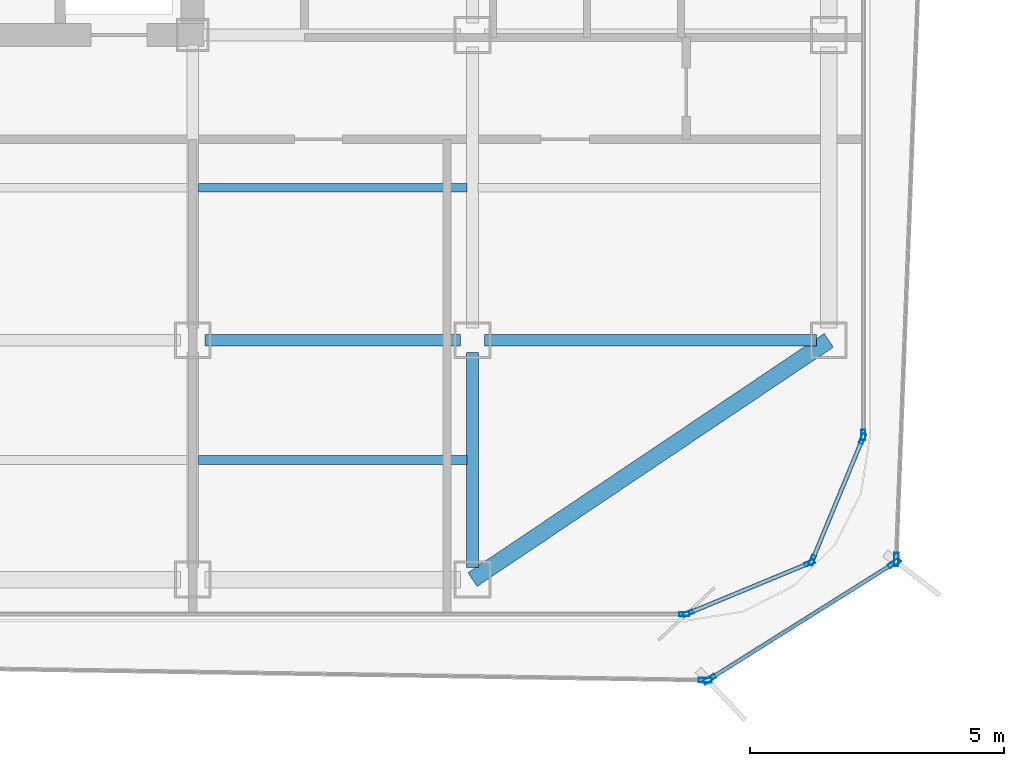
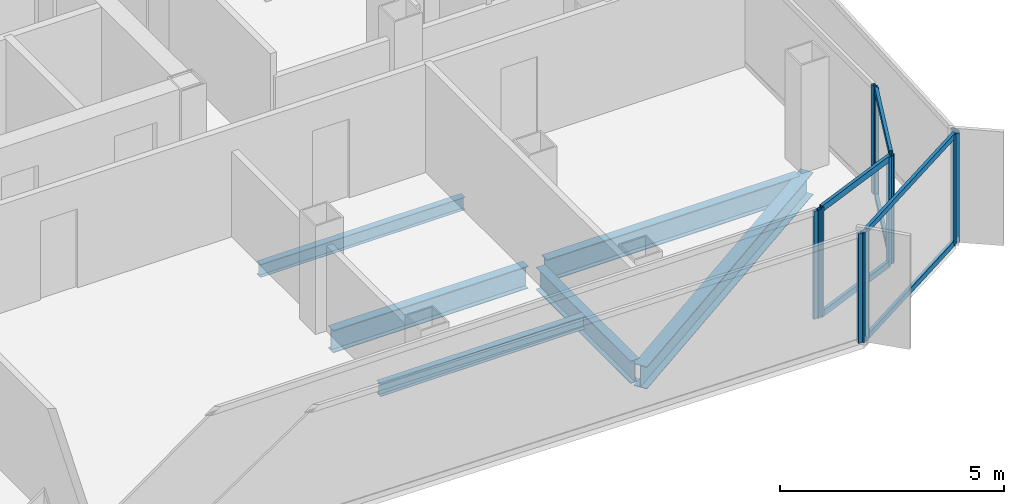
# One storey, part 4 of 15: 16 members, 6 beams, 7 elements without a shape of their own.
"""IFC4 building model written with IfcOpenShell, lengths in metres."""

from ifc_helpers import new_model, si_unit, direction, frame, origin, origin_2d, place, context, subcontext, project, spatial, hollow_rectangle, i_section, extrude, source, transform, mapped, material, layer, layer_set, material_profile, profile_set, type_object, element, aggregate, save


model = new_model("IFC4")

# Units and contexts
model_context = context("Model", 3, precision=1e-05, world=origin(), true_north=direction((0.0, 1.0)))
body_context = subcontext(model_context, "Body", "Model", "MODEL_VIEW")
ifc_project = project(units=[si_unit("LENGTHUNIT", "METRE"), si_unit("AREAUNIT", "SQUARE_METRE"), si_unit("VOLUMEUNIT", "CUBIC_METRE"), si_unit("PLANEANGLEUNIT", "RADIAN"), si_unit("MASSUNIT", "GRAM", prefix="KILO")], contexts=[model_context])

# Site, building, storey
site_placement = place(None, origin())
site = spatial("IfcSite", under=ifc_project, at=site_placement, CompositionType="ELEMENT")
building_placement = place(site_placement, origin())
building = spatial("IfcBuilding", under=site, at=building_placement, Name="Kolveth Station Tower", CompositionType="ELEMENT")
storey_placement = place(building_placement, frame((0.0, 0.0, 172.10009765625)))
storey = spatial("IfcBuildingStorey", under=building, at=storey_placement, Name="L48", CompositionType="ELEMENT", Elevation=172.10009765625)

# Beams
ifc_material_1 = material(Name="Steel S355", Category="steel")
ifc_material_profile_1 = material_profile(ifc_material_1, i_section(OverallWidth=0.323974609375, OverallDepth=0.611083984375, WebThickness=0.0126953125, FlangeThickness=0.01904296875, at=origin_2d()), Name="W610x155")
ifc_profile_set_1 = profile_set([ifc_material_profile_1], Name="Steel S355")
beam_type_1 = type_object("IfcBeamType", Name="Beam_SP2", PredefinedType="SPANDREL", material=ifc_profile_set_1)
shared_shape_1 = source(origin(), body_context, "Body", "SweptSolid", [
    extrude(i_section(OverallWidth=0.323974609375, OverallDepth=0.611083984375, WebThickness=0.0126953125, FlangeThickness=0.01904296875, at=origin_2d()), origin(), (0.0, 0.0, 1.0), 8.431396484375),
])
beam_1_placement = place(storey_placement, frame((34.0, 0.800048828125, -0.5556640625), z_axis=(0.830223811004, 0.557430196206, 0.0), x_axis=(-0.557430196206, 0.830223811004, 0.0)))
element("IfcBeam", 1, at=beam_1_placement, inside=storey, type_object=beam_type_1, Name="L48 Corner Edge Girder BM-L48-CNR-SE", PredefinedType="SPANDREL", context=body_context, shape_type="MappedRepresentation", body=[
    mapped(shared_shape_1, transform((0.0, 0.0, 0.0), x_axis=(1.0, 0.0, 0.0), y_axis=(0.0, 1.0, 0.0), z_axis=(0.0, 0.0, 1.0), scale=1.0)),
])
ifc_material_profile_2 = material_profile(ifc_material_1, i_section(OverallWidth=0.22900390625, OverallDepth=0.612060546875, WebThickness=0.011962890625, FlangeThickness=0.01953125, at=origin_2d()), Name="W610x125")
ifc_profile_set_2 = profile_set([ifc_material_profile_2], Name="Steel S355")
beam_type_2 = type_object("IfcBeamType", Name="Beam_B5", PredefinedType="BEAM", material=ifc_profile_set_2)
shared_shape_2 = source(origin(), body_context, "Body", "SweptSolid", [
    extrude(i_section(OverallWidth=0.22900390625, OverallDepth=0.612060546875, WebThickness=0.011962890625, FlangeThickness=0.01953125, at=origin_2d()), origin(), (0.0, 0.0, 1.0), 6.52001953125),
])
beam_2_placement = place(storey_placement, frame((34.239990234375, 5.5, -0.55615234375), z_axis=(1.0, 0.0, 0.0), x_axis=(0.0, 1.0, 0.0)))
element("IfcBeam", 2, at=beam_2_placement, inside=storey, type_object=beam_type_2, Name="L48 Primary Girder BM-L48-GY55-6", PredefinedType="BEAM", context=body_context, shape_type="MappedRepresentation", body=[
    mapped(shared_shape_2, transform((0.0, 0.0, 0.0), x_axis=(1.0, 0.0, 0.0), y_axis=(0.0, 1.0, 0.0), z_axis=(0.0, 0.0, 1.0), scale=1.0)),
])
shared_shape_3 = source(origin(), body_context, "Body", "SweptSolid", [
    extrude(i_section(OverallWidth=0.22900390625, OverallDepth=0.612060546875, WebThickness=0.011962890625, FlangeThickness=0.01953125, at=origin_2d()), origin(), (0.0, 0.0, 1.0), 5.02001953125),
])
beam_3_placement = place(storey_placement, frame((28.739990234375, 5.5, -0.55615234375), z_axis=(1.0, 0.0, 0.0), x_axis=(0.0, 1.0, 0.0)))
element("IfcBeam", 3, at=beam_3_placement, inside=storey, type_object=beam_type_2, Name="L48 Primary Girder BM-L48-GY55-5", PredefinedType="BEAM", context=body_context, shape_type="MappedRepresentation", body=[
    mapped(shared_shape_3, transform((0.0, 0.0, 0.0), x_axis=(1.0, 0.0, 0.0), y_axis=(0.0, 1.0, 0.0), z_axis=(0.0, 0.0, 1.0), scale=1.0)),
])
shared_shape_4 = source(origin(), body_context, "Body", "SweptSolid", [
    extrude(i_section(OverallWidth=0.22900390625, OverallDepth=0.612060546875, WebThickness=0.011962890625, FlangeThickness=0.01953125, at=origin_2d()), origin(), (0.0, 0.0, 1.0), 4.219970703125),
])
beam_4_placement = place(storey_placement, frame((34.0, 1.0400390625, -0.55615234375), z_axis=(0.0, 1.0, 0.0), x_axis=(-1.0, 0.0, 0.0)))
element("IfcBeam", 4, at=beam_4_placement, inside=storey, type_object=beam_type_2, Name="L48 Primary Girder BM-L48-GX340-1", PredefinedType="BEAM", context=body_context, shape_type="MappedRepresentation", body=[
    mapped(shared_shape_4, transform((0.0, 0.0, 0.0), x_axis=(1.0, 0.0, 0.0), y_axis=(0.0, 1.0, 0.0), z_axis=(0.0, 0.0, 1.0), scale=1.0)),
])
ifc_material_profile_3 = material_profile(ifc_material_1, i_section(OverallWidth=0.1708984375, OverallDepth=0.35205078125, WebThickness=0.0068359375, FlangeThickness=0.009765625, at=origin_2d()), Name="W360x44")
ifc_profile_set_3 = profile_set([ifc_material_profile_3], Name="Steel S355")
beam_type_3 = type_object("IfcBeamType", Name="Beam_J2", PredefinedType="JOIST", material=ifc_profile_set_3)
shared_shape_5 = source(origin(), body_context, "Body", "SweptSolid", [
    extrude(i_section(OverallWidth=0.1708984375, OverallDepth=0.35205078125, WebThickness=0.0068359375, FlangeThickness=0.009765625, at=origin_2d()), origin(), (0.0, 0.0, 1.0), 5.27490234375),
])
for number, where, z_axis, x_axis, name in (
    (5, (28.612548828125, 3.14990234375, -0.426025390625), (1.0, 0.0, 0.0), (0.0, 1.0, 0.0), "L48 Secondary Joist JST-L48-5-1"),
    (6, (28.612548828125, 8.5, -0.426025390625), (1.0, 0.0, 0.0), (0.0, 1.0, 0.0), "L48 Secondary Joist JST-L48-5-2"),
):
    element("IfcBeam", number, at=place(storey_placement, frame(where, z_axis=z_axis, x_axis=x_axis)), inside=storey, type_object=beam_type_3, Name=name, PredefinedType="JOIST", context=body_context, shape_type="MappedRepresentation", body=[
        mapped(shared_shape_5, transform((0.0, 0.0, 0.0), x_axis=(1.0, 0.0, 0.0), y_axis=(0.0, 1.0, 0.0), z_axis=(0.0, 0.0, 1.0), scale=1.0)),
    ])

# Curtain wall, members
ifc_material_2 = material(Name="Aluminium 6063-T6 and low-E dark glass", Category="aluminium")
ifc_layer_1 = layer(ifc_material_2, 0.18994140625)
ifc_layer_set_1 = layer_set([ifc_layer_1], Name="Aluminium 6063-T6 and low-E dark glass")
curtain_wall_type_1 = type_object("IfcCurtainWallType", Name="CurtainWall_CW-Z2", PredefinedType="NOTDEFINED", material=ifc_layer_set_1)
curtain_wall_1_placement = place(storey_placement, origin())
curtain_wall_1 = element("IfcCurtainWall", 7, at=curtain_wall_1_placement, inside=storey, type_object=curtain_wall_type_1, Name="L48 Inner Thermal Curtain Wall 1", PredefinedType="NOTDEFINED")
ifc_material_3 = material(Name="Black anodized aluminium 6063-T6", Category="aluminium")
ifc_material_profile_4 = material_profile(ifc_material_3, hollow_rectangle(XDim=0.080078125, YDim=0.199951171875, WallThickness=0.0048828125, at=origin_2d()), Name="ALU-80x200x5")
ifc_profile_set_4 = profile_set([ifc_material_profile_4], Name="Black anodized aluminium 6063-T6")
member_type_1 = type_object("IfcMemberType", Name="Mullion_ML2", PredefinedType="MULLION", material=ifc_profile_set_4)
shared_shape_6 = source(origin(), body_context, "Body", "SweptSolid", [
    extrude(hollow_rectangle(XDim=0.080078125, YDim=0.199951171875, WallThickness=0.0048828125, at=origin_2d()), origin(), (0.0, 0.0, 1.0), 2.949951171875),
])
member_1_placement = place(storey_placement, frame((38.237060546875, 0.13525390625, 0.0), z_axis=(0.0, 0.0, 1.0), x_axis=(-0.382697753087, 0.923873600544, 0.0)))
member_1 = element("IfcMember", 8, at=member_1_placement, type_object=member_type_1, Name="CW-Z2 mullion 1", PredefinedType="MULLION", context=body_context, shape_type="MappedRepresentation", body=[
    mapped(shared_shape_6, transform((0.0, 0.0, 0.0), x_axis=(1.0, 0.0, 0.0), y_axis=(0.0, 1.0, 0.0), z_axis=(0.0, 0.0, 1.0), scale=1.0)),
])
member_2_placement = place(storey_placement, frame((40.623779296875, 1.1240234375, 0.0), z_axis=(0.0, 0.0, 1.0), x_axis=(-0.382697753087, 0.923873600544, 0.0)))
member_2 = element("IfcMember", 9, at=member_2_placement, type_object=member_type_1, Name="CW-Z2 mullion 2", PredefinedType="MULLION", context=body_context, shape_type="MappedRepresentation", body=[
    mapped(shared_shape_6, transform((0.0, 0.0, 0.0), x_axis=(1.0, 0.0, 0.0), y_axis=(0.0, 1.0, 0.0), z_axis=(0.0, 0.0, 1.0), scale=1.0)),
])

curtain_wall_2_placement = place(storey_placement, origin())
curtain_wall_2 = element("IfcCurtainWall", 10, at=curtain_wall_2_placement, inside=storey, type_object=curtain_wall_type_1, Name="L48 Inner Thermal Curtain Wall 2", PredefinedType="NOTDEFINED")
member_3_placement = place(storey_placement, frame((40.676025390625, 1.17626953125, 0.0), z_axis=(0.0, 0.0, 1.0), x_axis=(-0.923873600544, 0.382697753087, 0.0)))
member_3 = element("IfcMember", 11, at=member_3_placement, type_object=member_type_1, Name="CW-Z2 mullion 1", PredefinedType="MULLION", context=body_context, shape_type="MappedRepresentation", body=[
    mapped(shared_shape_6, transform((0.0, 0.0, 0.0), x_axis=(1.0, 0.0, 0.0), y_axis=(0.0, 1.0, 0.0), z_axis=(0.0, 0.0, 1.0), scale=1.0)),
])
member_4_placement = place(storey_placement, frame((41.664794921875, 3.56298828125, 0.0), z_axis=(0.0, 0.0, 1.0), x_axis=(-0.923873600544, 0.382697753087, 0.0)))
member_4 = element("IfcMember", 12, at=member_4_placement, type_object=member_type_1, Name="CW-Z2 mullion 2", PredefinedType="MULLION", context=body_context, shape_type="MappedRepresentation", body=[
    mapped(shared_shape_6, transform((0.0, 0.0, 0.0), x_axis=(1.0, 0.0, 0.0), y_axis=(0.0, 1.0, 0.0), z_axis=(0.0, 0.0, 1.0), scale=1.0)),
])

# Curtain wall, member
curtain_wall_3_placement = place(storey_placement, origin())
curtain_wall_3 = element("IfcCurtainWall", 13, at=curtain_wall_3_placement, inside=storey, type_object=curtain_wall_type_1, Name="L48 Inner Thermal Curtain Wall 3", PredefinedType="NOTDEFINED")
member_5_placement = place(storey_placement, frame((41.679931640625, 3.639892578125, 0.0), z_axis=(0.0, 0.0, 1.0), x_axis=(-1.0, 0.0, 0.0)))
member_5 = element("IfcMember", 14, at=member_5_placement, type_object=member_type_1, Name="CW-Z2 mullion 1", PredefinedType="MULLION", context=body_context, shape_type="MappedRepresentation", body=[
    mapped(shared_shape_6, transform((0.0, 0.0, 0.0), x_axis=(1.0, 0.0, 0.0), y_axis=(0.0, 1.0, 0.0), z_axis=(0.0, 0.0, 1.0), scale=1.0)),
])
aggregate(curtain_wall_3, [member_5])

curtain_wall_4_placement = place(storey_placement, origin())
curtain_wall_4 = element("IfcCurtainWall", 15, at=curtain_wall_4_placement, inside=storey, type_object=curtain_wall_type_1, Name="L48 Inner Thermal Curtain Wall 12", PredefinedType="NOTDEFINED")
member_6_placement = place(storey_placement, frame((38.159912109375, 0.1201171875, 0.0), z_axis=(0.0, 0.0, 1.0), x_axis=(0.0, 1.0, 0.0)))
member_6 = element("IfcMember", 16, at=member_6_placement, type_object=member_type_1, Name="CW-Z2 mullion 2", PredefinedType="MULLION", context=body_context, shape_type="MappedRepresentation", body=[
    mapped(shared_shape_6, transform((0.0, 0.0, 0.0), x_axis=(1.0, 0.0, 0.0), y_axis=(0.0, 1.0, 0.0), z_axis=(0.0, 0.0, 1.0), scale=1.0)),
])
aggregate(curtain_wall_4, [member_6])

# Curtain wall, members
ifc_material_4 = material(Name="Black anodized aluminium 6063-T6 and dark solar glass", Category="aluminium")
ifc_layer_2 = layer(ifc_material_4, 0.159912109375)
ifc_layer_set_2 = layer_set([ifc_layer_2], Name="Black anodized aluminium 6063-T6 and dark solar glass")
curtain_wall_type_2 = type_object("IfcCurtainWallType", Name="OUTER SKIN CW-OS", PredefinedType="NOTDEFINED", material=ifc_layer_set_2)
curtain_wall_5_placement = place(storey_placement, origin())
curtain_wall_5 = element("IfcCurtainWall", 17, at=curtain_wall_5_placement, inside=storey, type_object=curtain_wall_type_2, Name="L48 Outer Ventilated Skin Curtain Wall 1", PredefinedType="NOTDEFINED")
ifc_material_profile_5 = material_profile(ifc_material_3, hollow_rectangle(XDim=0.090087890625, YDim=0.260009765625, WallThickness=0.0048828125, at=origin_2d()), Name="ALU-90x260x5")
ifc_profile_set_5 = profile_set([ifc_material_profile_5], Name="Black anodized aluminium 6063-T6")
member_type_2 = type_object("IfcMemberType", Name="FIN MULLION ML-OS", PredefinedType="MULLION", material=ifc_profile_set_5)
shared_shape_7 = source(origin(), body_context, "Body", "SweptSolid", [
    extrude(hollow_rectangle(XDim=0.090087890625, YDim=0.260009765625, WallThickness=0.0048828125, at=origin_2d()), origin(), (0.0, 0.0, 1.0), 2.989990234375),
])
member_7_placement = place(storey_placement, frame((38.65869140625, -1.15625, 0.0), z_axis=(0.0, 0.0, 1.0), x_axis=(-0.531927775686, 0.846789726823, 0.0)))
member_7 = element("IfcMember", 18, at=member_7_placement, type_object=member_type_2, Name="CW-OS mullion 1", PredefinedType="MULLION", context=body_context, shape_type="MappedRepresentation", body=[
    mapped(shared_shape_7, transform((0.0, 0.0, 0.0), x_axis=(1.0, 0.0, 0.0), y_axis=(0.0, 1.0, 0.0), z_axis=(0.0, 0.0, 1.0), scale=1.0)),
])
member_8_placement = place(storey_placement, frame((42.289306640625, 1.124267578125, 0.0), z_axis=(0.0, 0.0, 1.0), x_axis=(-0.531927775686, 0.846789726823, 0.0)))
member_8 = element("IfcMember", 19, at=member_8_placement, type_object=member_type_2, Name="CW-OS mullion 2", PredefinedType="MULLION", context=body_context, shape_type="MappedRepresentation", body=[
    mapped(shared_shape_7, transform((0.0, 0.0, 0.0), x_axis=(1.0, 0.0, 0.0), y_axis=(0.0, 1.0, 0.0), z_axis=(0.0, 0.0, 1.0), scale=1.0)),
])

# Curtain wall, member
curtain_wall_6_placement = place(storey_placement, origin())
curtain_wall_6 = element("IfcCurtainWall", 20, at=curtain_wall_6_placement, inside=storey, type_object=curtain_wall_type_2, Name="L48 Outer Ventilated Skin Curtain Wall 2", PredefinedType="NOTDEFINED")
member_9_placement = place(storey_placement, frame((42.3291015625, 1.193359375, 0.0), z_axis=(0.0, 0.0, 1.0), x_axis=(-0.999266559866, 0.038292849638, 0.0)))
member_9 = element("IfcMember", 21, at=member_9_placement, type_object=member_type_2, Name="CW-OS mullion 1", PredefinedType="MULLION", context=body_context, shape_type="MappedRepresentation", body=[
    mapped(shared_shape_7, transform((0.0, 0.0, 0.0), x_axis=(1.0, 0.0, 0.0), y_axis=(0.0, 1.0, 0.0), z_axis=(0.0, 0.0, 1.0), scale=1.0)),
])
aggregate(curtain_wall_6, [member_9])

curtain_wall_7_placement = place(storey_placement, origin())
curtain_wall_7 = element("IfcCurtainWall", 22, at=curtain_wall_7_placement, inside=storey, type_object=curtain_wall_type_2, Name="L48 Outer Ventilated Skin Curtain Wall 8", PredefinedType="NOTDEFINED")
member_10_placement = place(storey_placement, frame((38.57568359375, -1.179443359375, 0.0), z_axis=(0.0, 0.0, 1.0), x_axis=(0.015798673821, 0.999875193164, 0.0)))
member_10 = element("IfcMember", 23, at=member_10_placement, type_object=member_type_2, Name="CW-OS mullion 2", PredefinedType="MULLION", context=body_context, shape_type="MappedRepresentation", body=[
    mapped(shared_shape_7, transform((0.0, 0.0, 0.0), x_axis=(1.0, 0.0, 0.0), y_axis=(0.0, 1.0, 0.0), z_axis=(0.0, 0.0, 1.0), scale=1.0)),
])
aggregate(curtain_wall_7, [member_10])

# Member
ifc_material_profile_6 = material_profile(ifc_material_3, hollow_rectangle(XDim=0.080078125, YDim=0.169921875, WallThickness=0.0048828125, at=origin_2d()), Name="ALU-80x170x5")
ifc_profile_set_6 = profile_set([ifc_material_profile_6], Name="Black anodized aluminium 6063-T6")
member_type_3 = type_object("IfcMemberType", Name="Transom_TR2", PredefinedType="USERDEFINED", material=ifc_profile_set_6)
shared_shape_8 = source(origin(), body_context, "Body", "SweptSolid", [
    extrude(hollow_rectangle(XDim=0.080078125, YDim=0.169921875, WallThickness=0.0048828125, at=origin_2d()), origin(), (0.0, 0.0, 1.0), 2.50341796875),
])
member_11_placement = place(storey_placement, frame((38.27392578125, 0.150634765625, 0.039794921875), z_axis=(0.923874190494, 0.382696328882, 0.0), x_axis=(-0.382696328882, 0.923874190494, 0.0)))
member_11 = element("IfcMember", 24, at=member_11_placement, type_object=member_type_3, Name="CW-Z2 transom 1.1", ObjectType="TRANSOM", PredefinedType="USERDEFINED", context=body_context, shape_type="MappedRepresentation", body=[
    mapped(shared_shape_8, transform((0.0, 0.0, 0.0), x_axis=(1.0, 0.0, 0.0), y_axis=(0.0, 1.0, 0.0), z_axis=(0.0, 0.0, 1.0), scale=1.0)),
])

member_12_placement = place(storey_placement, frame((38.27392578125, 0.150634765625, 2.909912109375), z_axis=(0.923874190494, 0.382696328882, 0.0), x_axis=(-0.382696328882, 0.923874190494, 0.0)))
member_12 = element("IfcMember", 25, at=member_12_placement, type_object=member_type_3, Name="CW-Z2 transom 1.2", ObjectType="TRANSOM", PredefinedType="USERDEFINED", context=body_context, shape_type="MappedRepresentation", body=[
    mapped(shared_shape_8, transform((0.0, 0.0, 0.0), x_axis=(1.0, 0.0, 0.0), y_axis=(0.0, 1.0, 0.0), z_axis=(0.0, 0.0, 1.0), scale=1.0)),
])

aggregate(curtain_wall_1, [member_1, member_2, member_11, member_12])

member_13_placement = place(storey_placement, frame((40.69140625, 1.213134765625, 0.039794921875), z_axis=(0.382661849723, 0.923888472039, 0.0), x_axis=(-0.923888472039, 0.382661849723, 0.0)))
member_13 = element("IfcMember", 26, at=member_13_placement, type_object=member_type_3, Name="CW-Z2 transom 1.1", ObjectType="TRANSOM", PredefinedType="USERDEFINED", context=body_context, shape_type="MappedRepresentation", body=[
    mapped(shared_shape_8, transform((0.0, 0.0, 0.0), x_axis=(1.0, 0.0, 0.0), y_axis=(0.0, 1.0, 0.0), z_axis=(0.0, 0.0, 1.0), scale=1.0)),
])

member_14_placement = place(storey_placement, frame((40.69140625, 1.213134765625, 2.909912109375), z_axis=(0.382661849723, 0.923888472039, 0.0), x_axis=(-0.923888472039, 0.382661849723, 0.0)))
member_14 = element("IfcMember", 27, at=member_14_placement, type_object=member_type_3, Name="CW-Z2 transom 1.2", ObjectType="TRANSOM", PredefinedType="USERDEFINED", context=body_context, shape_type="MappedRepresentation", body=[
    mapped(shared_shape_8, transform((0.0, 0.0, 0.0), x_axis=(1.0, 0.0, 0.0), y_axis=(0.0, 1.0, 0.0), z_axis=(0.0, 0.0, 1.0), scale=1.0)),
])

aggregate(curtain_wall_2, [member_3, member_4, member_13, member_14])

ifc_material_profile_7 = material_profile(ifc_material_3, hollow_rectangle(XDim=0.080078125, YDim=0.14990234375, WallThickness=0.0048828125, at=origin_2d()), Name="ALU-80x150x5")
ifc_profile_set_7 = profile_set([ifc_material_profile_7], Name="Black anodized aluminium 6063-T6")
member_type_4 = type_object("IfcMemberType", Name="Transom_TR-OS", PredefinedType="USERDEFINED", material=ifc_profile_set_7)
shared_shape_9 = source(origin(), body_context, "Body", "SweptSolid", [
    extrude(hollow_rectangle(XDim=0.080078125, YDim=0.14990234375, WallThickness=0.0048828125, at=origin_2d()), origin(), (0.0, 0.0, 1.0), 4.197509765625),
])
member_15_placement = place(storey_placement, frame((38.69677734375, -1.13232421875, 0.039794921875), z_axis=(0.846803476817, 0.531905886084, 0.0), x_axis=(-0.531905886084, 0.846803476817, 0.0)))
member_15 = element("IfcMember", 28, at=member_15_placement, type_object=member_type_4, Name="CW-OS transom 1.1", ObjectType="TRANSOM", PredefinedType="USERDEFINED", context=body_context, shape_type="MappedRepresentation", body=[
    mapped(shared_shape_9, transform((0.0, 0.0, 0.0), x_axis=(1.0, 0.0, 0.0), y_axis=(0.0, 1.0, 0.0), z_axis=(0.0, 0.0, 1.0), scale=1.0)),
])

member_16_placement = place(storey_placement, frame((38.69677734375, -1.13232421875, 2.949951171875), z_axis=(0.846803476817, 0.531905886084, 0.0), x_axis=(-0.531905886084, 0.846803476817, 0.0)))
member_16 = element("IfcMember", 29, at=member_16_placement, type_object=member_type_4, Name="CW-OS transom 1.2", ObjectType="TRANSOM", PredefinedType="USERDEFINED", context=body_context, shape_type="MappedRepresentation", body=[
    mapped(shared_shape_9, transform((0.0, 0.0, 0.0), x_axis=(1.0, 0.0, 0.0), y_axis=(0.0, 1.0, 0.0), z_axis=(0.0, 0.0, 1.0), scale=1.0)),
])

aggregate(curtain_wall_5, [member_7, member_8, member_15, member_16])

save(model, "model.ifc")
